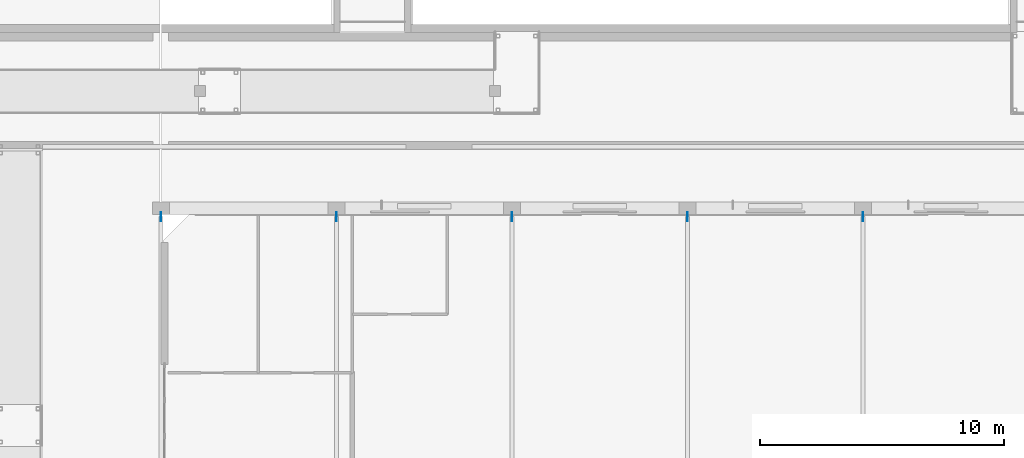
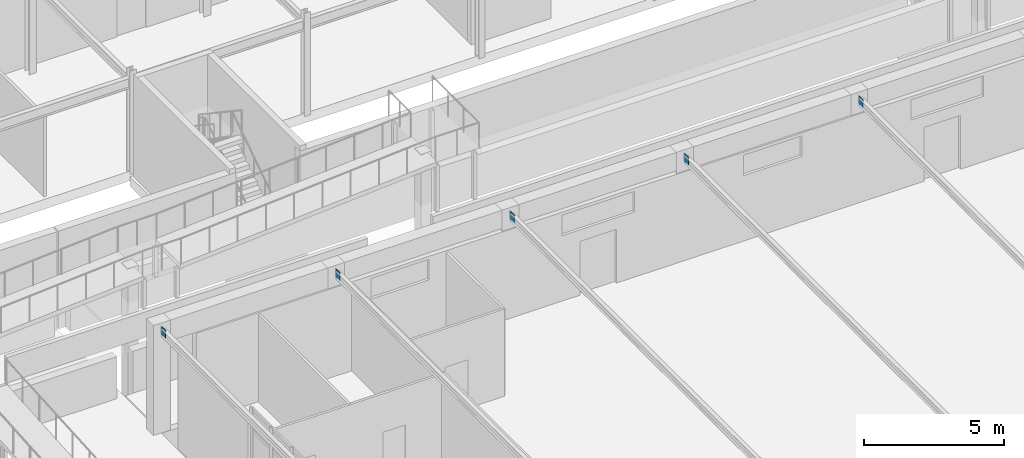
# One storey, part 52 of 85: 5 plates.
"""IFC4 building model written with IfcOpenShell, lengths in metres."""

from ifc_helpers import new_model, si_unit, direction, frame, origin, origin_2d, place, context, subcontext, project, spatial, rectangle, extrude, material, layer, layer_set, type_object, element, save


model = new_model("IFC4")

# Units and contexts
model_context = context("Model", 3, precision=1e-05, world=origin(), true_north=direction((0.0, 1.0)))
body_context = subcontext(model_context, "Body", "Model", "MODEL_VIEW")
ifc_project = project(units=[si_unit("LENGTHUNIT", "METRE"), si_unit("AREAUNIT", "SQUARE_METRE"), si_unit("VOLUMEUNIT", "CUBIC_METRE"), si_unit("PLANEANGLEUNIT", "RADIAN"), si_unit("MASSUNIT", "GRAM", prefix="KILO")], contexts=[model_context])

# Site, building, storey
site_placement = place(None, origin())
site = spatial("IfcSite", under=ifc_project, at=site_placement, CompositionType="ELEMENT")
building_placement = place(site_placement, origin())
building = spatial("IfcBuilding", under=site, at=building_placement, Name="Ochrevale Crest", CompositionType="ELEMENT")
storey_placement = place(building_placement, origin())
storey = spatial("IfcBuildingStorey", under=building, at=storey_placement, Name="L00", CompositionType="ELEMENT", Elevation=0.0)

# Plates
ifc_material = material(Name="Steel S355", Category="steel")
ifc_layer = layer(ifc_material, 0.02001953125)
ifc_layer_set = layer_set([ifc_layer], Name="Steel S355")
plate_type = type_object("IfcPlateType", Name="PLT-GUSSET-20", PredefinedType="USERDEFINED", material=ifc_layer_set)
for number, where, z_axis, x_axis, name in (
    (1, (57.60009765625, 64.449951171875, 4.27001953125), (0.0, 0.0, 1.0), (1.0, 0.0, 0.0), "Vault tie-beam springing gusset plate 1-N"),
    (2, (64.800048828125, 64.449951171875, 4.27001953125), (0.0, 0.0, 1.0), (1.0, 0.0, 0.0), "Vault tie-beam springing gusset plate 2-N"),
    (3, (72.0, 64.449951171875, 4.27001953125), (0.0, 0.0, 1.0), (1.0, 0.0, 0.0), "Vault tie-beam springing gusset plate 3-N"),
    (4, (79.199951171875, 64.449951171875, 4.27001953125), (0.0, 0.0, 1.0), (1.0, 0.0, 0.0), "Vault tie-beam springing gusset plate 4-N"),
    (5, (86.39990234375, 64.449951171875, 4.27001953125), (0.0, 0.0, 1.0), (1.0, 0.0, 0.0), "Vault tie-beam springing gusset plate 5-N"),
):
    element("IfcPlate", number, at=place(storey_placement, frame(where, z_axis=z_axis, x_axis=x_axis)), inside=storey, type_object=plate_type, Name=name, ObjectType="GUSSET PLATE", PredefinedType="USERDEFINED", context=body_context, shape_type="SweptSolid", body=[
        extrude(rectangle(XDim=0.02001953125, YDim=0.360107421875, at=origin_2d()), origin(), (0.0, 0.0, 1.0), 0.360107421875),
    ])

save(model, "model.ifc")
